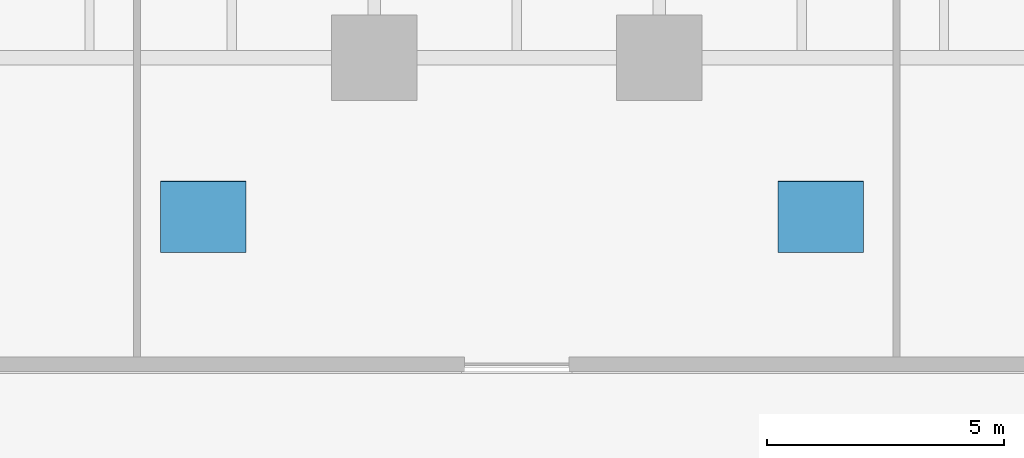
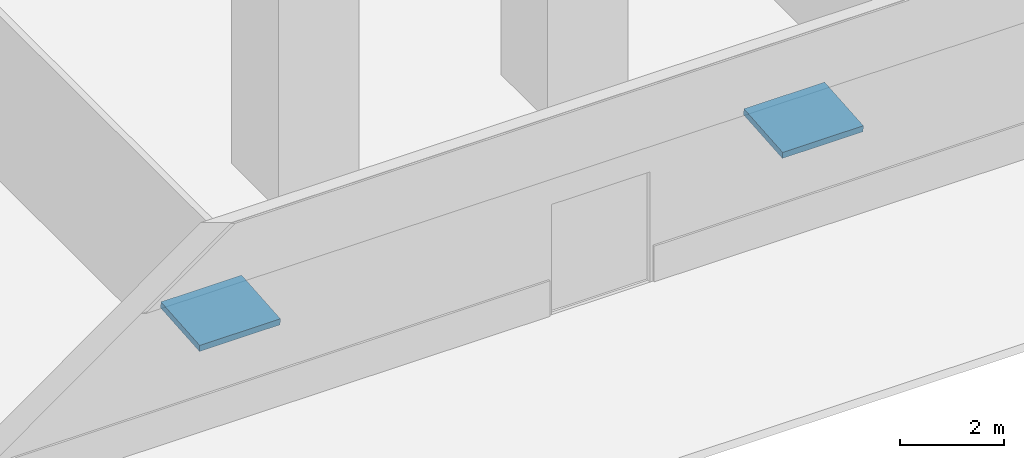
# One storey, part 13 of 25: 2 ramps, 2 ramp flights.
"""IFC4 building model written with IfcOpenShell, lengths in metres."""

from ifc_helpers import new_model, si_unit, direction, frame, origin, place, context, subcontext, project, spatial, polyline, outline, extrude, material, layer, layer_set, type_object, element, aggregate, save


model = new_model("IFC4")

# Units and contexts
model_context = context("Model", 3, precision=1e-05, world=origin(), true_north=direction((0.0, 1.0)))
body_context = subcontext(model_context, "Body", "Model", "MODEL_VIEW")
ifc_project = project(units=[si_unit("LENGTHUNIT", "METRE"), si_unit("AREAUNIT", "SQUARE_METRE"), si_unit("VOLUMEUNIT", "CUBIC_METRE"), si_unit("PLANEANGLEUNIT", "RADIAN"), si_unit("MASSUNIT", "GRAM", prefix="KILO")], contexts=[model_context])

# Site, building, storey
site_placement = place(None, origin())
site = spatial("IfcSite", under=ifc_project, at=site_placement, CompositionType="ELEMENT")
building_placement = place(site_placement, origin())
building = spatial("IfcBuilding", under=site, at=building_placement, Name="Tanjung Sevakor Pilgrim Tower", CompositionType="ELEMENT")
storey_placement = place(building_placement, origin())
storey = spatial("IfcBuildingStorey", under=building, at=storey_placement, Name="L01", CompositionType="ELEMENT", Elevation=0.0)

# Ramp
ifc_material_1 = material(Name="Concrete C40/50", Category="concrete")
ramp_type = type_object("IfcRampType", Name="RAMP-PED-A", PredefinedType="STRAIGHT_RUN_RAMP", material=ifc_material_1)
ramp_1_placement = place(storey_placement, frame((49.5, 2.5, 0.0), z_axis=(0.0, -0.079822602517, 0.996809085095), x_axis=(1.0, 0.0, 0.0)))
ramp_1 = element("IfcRamp", 1, at=ramp_1_placement, inside=storey, type_object=ramp_type, Name="L01 Accessible Pedestrian Ramp 1", PredefinedType="STRAIGHT_RUN_RAMP", context=body_context, shape_type="SweptSolid", body=[
    extrude(outline(polyline([(0.0, 0.0), (1.800048828125, 0.0), (1.800048828125, 1.5048016941553828), (0.0, 1.5048016941553828), (0.0, 0.0)])), origin(), (0.0, 0.0, -1.0), 0.14990234375),
])

ramp_2_placement = place(storey_placement, frame((62.5, 2.5, 0.0), z_axis=(0.0, -0.079822602517, 0.996809085095), x_axis=(1.0, 0.0, 0.0)))
ramp_2 = element("IfcRamp", 2, at=ramp_2_placement, inside=storey, type_object=ramp_type, Name="L01 Accessible Pedestrian Ramp 2", PredefinedType="STRAIGHT_RUN_RAMP", context=body_context, shape_type="SweptSolid", body=[
    extrude(outline(polyline([(0.0, 0.0), (1.800048828125, 0.0), (1.800048828125, 1.5048016941553828), (0.0, 1.5048016941553828), (0.0, 0.0)])), origin(), (0.0, 0.0, -1.0), 0.14990234375),
])

# Ramp flight
ifc_material_2 = material(Name="Concrete C40/50", Category="concrete")
ifc_layer = layer(ifc_material_2, 0.14990234375)
ifc_layer_set = layer_set([ifc_layer], Name="RMPFL-PED")
ramp_flight_type = type_object("IfcRampFlightType", Name="RMPFL-PED", PredefinedType="STRAIGHT", material=ifc_layer_set)
ramp_flight_1_placement = place(storey_placement, frame((49.5, 2.5, 0.0), z_axis=(0.0, -0.079822602517, 0.996809085095), x_axis=(1.0, 0.0, 0.0)))
ramp_flight_1 = element("IfcRampFlight", 3, at=ramp_flight_1_placement, type_object=ramp_flight_type, Name="L01 Accessible Ramp Flight 1", PredefinedType="STRAIGHT", context=body_context, shape_type="SweptSolid", body=[
    extrude(outline(polyline([(0.0, 0.0), (1.800048828125, 0.0), (1.800048828125, 1.5048016941553828), (0.0, 1.5048016941553828), (0.0, 0.0)])), origin(), (0.0, 0.0, -1.0), 0.14990234375),
])

aggregate(ramp_1, [ramp_flight_1])

ramp_flight_2_placement = place(storey_placement, frame((62.5, 2.5, 0.0), z_axis=(0.0, -0.079822602517, 0.996809085095), x_axis=(1.0, 0.0, 0.0)))
ramp_flight_2 = element("IfcRampFlight", 4, at=ramp_flight_2_placement, type_object=ramp_flight_type, Name="L01 Accessible Ramp Flight 2", PredefinedType="STRAIGHT", context=body_context, shape_type="SweptSolid", body=[
    extrude(outline(polyline([(0.0, 0.0), (1.800048828125, 0.0), (1.800048828125, 1.5048016941553828), (0.0, 1.5048016941553828), (0.0, 0.0)])), origin(), (0.0, 0.0, -1.0), 0.14990234375),
])

aggregate(ramp_2, [ramp_flight_2])

save(model, "model.ifc")
